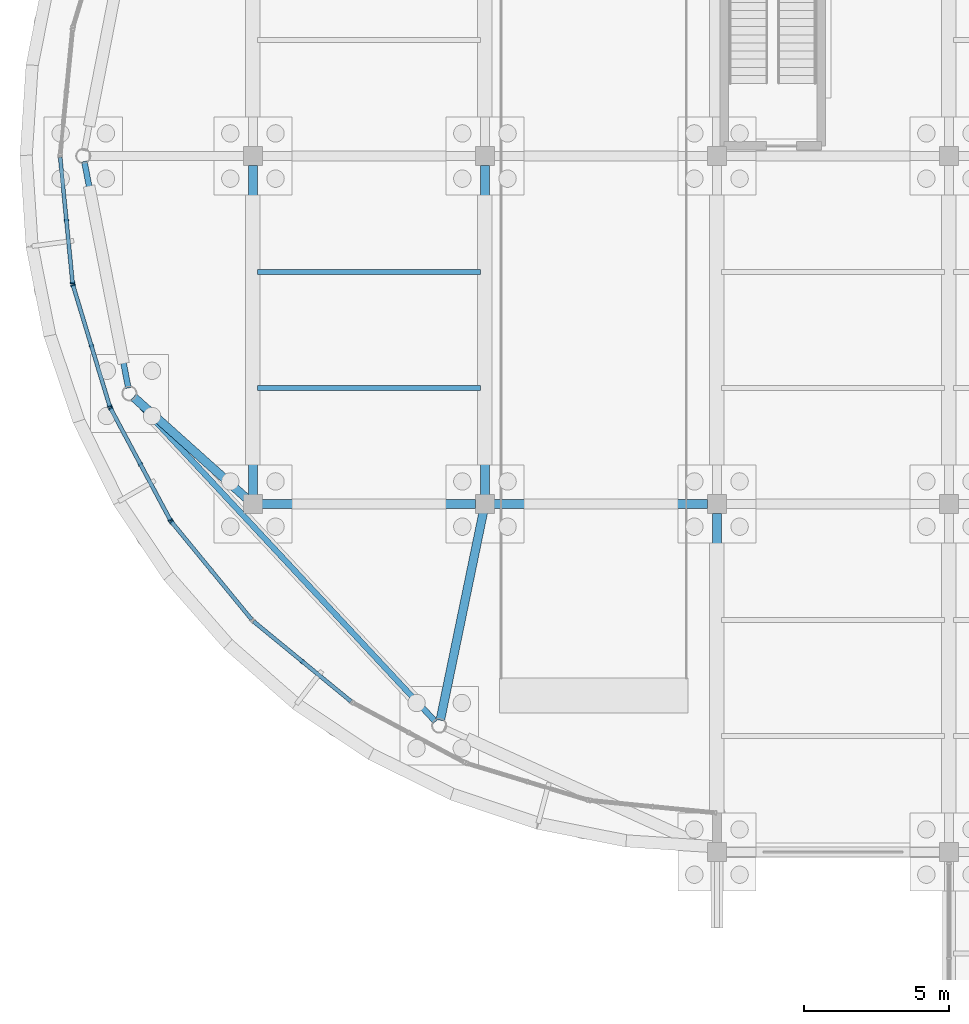
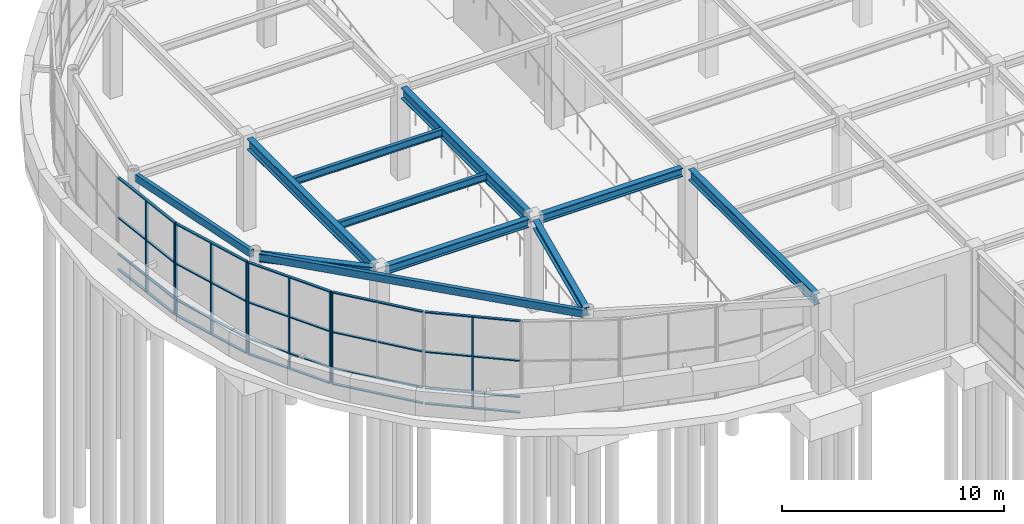
# One storey, part 26 of 85: 30 members, 11 beams, 5 elements without a shape of their own.
"""IFC4 building model written with IfcOpenShell, lengths in metres."""

from ifc_helpers import new_model, si_unit, direction, frame, origin, origin_2d, place, context, subcontext, project, spatial, rectangle, hollow_rectangle, i_section, extrude, material, layer, layer_set, material_profile, profile_set, type_object, element, aggregate, save


model = new_model("IFC4")

# Units and contexts
model_context = context("Model", 3, precision=1e-05, world=origin(), true_north=direction((0.0, 1.0)))
body_context = subcontext(model_context, "Body", "Model", "MODEL_VIEW")
ifc_project = project(units=[si_unit("LENGTHUNIT", "METRE"), si_unit("AREAUNIT", "SQUARE_METRE"), si_unit("VOLUMEUNIT", "CUBIC_METRE"), si_unit("PLANEANGLEUNIT", "RADIAN"), si_unit("MASSUNIT", "GRAM", prefix="KILO")], contexts=[model_context])

# Site, building, storey
site_placement = place(None, origin())
site = spatial("IfcSite", under=ifc_project, at=site_placement, CompositionType="ELEMENT")
building_placement = place(site_placement, origin())
building = spatial("IfcBuilding", under=site, at=building_placement, Name="Keelwater Ferry Terminal", CompositionType="ELEMENT")
storey_placement = place(building_placement, origin())
storey = spatial("IfcBuildingStorey", under=building, at=storey_placement, Name="L00", CompositionType="ELEMENT", Elevation=0.0)

# Curtain wall, members
ifc_material_1 = material(Name="Thermally broken unitised aluminium and triple glass", Category="aluminium")
ifc_layer = layer(ifc_material_1, 0.179931640625)
ifc_layer_set = layer_set([ifc_layer], Name="Thermally broken unitised aluminium and triple glass")
curtain_wall_type = type_object("IfcCurtainWallType", Name="CW-16 Unitised Curtain Wall 4350x5020", PredefinedType="USERDEFINED", material=ifc_layer_set)
curtain_wall_1_placement = place(storey_placement, origin())
curtain_wall_1 = element("IfcCurtainWall", 1, at=curtain_wall_1_placement, inside=storey, type_object=curtain_wall_type, Name="Unitised Curtain Wall CW-L00-085", ObjectType="UNITISED CURTAIN WALL", PredefinedType="USERDEFINED")
ifc_material_2 = material(Name="Aluminium mullion", Category="aluminium")
ifc_material_profile_1 = material_profile(ifc_material_2, rectangle(XDim=0.06005859375, YDim=0.14990234375, at=origin_2d()), Name="CWM-03")
ifc_profile_set_1 = profile_set([ifc_material_profile_1], Name="Aluminium mullion")
member_type_1 = type_object("IfcMemberType", Name="CWM-03 Curtain Mullion 60x150", PredefinedType="MULLION", material=ifc_profile_set_1)
member_1_placement = place(storey_placement, frame((1.5673828125, 63.79052734375, 0.0), z_axis=(0.0, 0.0, 1.0), x_axis=(0.098160737969, -0.995170573079, 0.0)))
member_1 = element("IfcMember", 2, at=member_1_placement, type_object=member_type_1, Name="CW-L00-085 Mullion 2", PredefinedType="MULLION", context=body_context, shape_type="SweptSolid", body=[
    extrude(rectangle(XDim=0.06005859375, YDim=0.14990234375, at=origin_2d()), origin(), (0.0, 0.0, 1.0), 5.02001953125),
])
member_2_placement = place(storey_placement, frame((1.781005859375, 61.6259765625, 0.0), z_axis=(0.0, 0.0, 1.0), x_axis=(0.098160737969, -0.995170573079, 0.0)))
member_2 = element("IfcMember", 3, at=member_2_placement, type_object=member_type_1, Name="CW-L00-085 Mullion 3", PredefinedType="MULLION", context=body_context, shape_type="SweptSolid", body=[
    extrude(rectangle(XDim=0.06005859375, YDim=0.14990234375, at=origin_2d()), origin(), (0.0, 0.0, 1.0), 5.02001953125),
])

curtain_wall_2_placement = place(storey_placement, origin())
curtain_wall_2 = element("IfcCurtainWall", 4, at=curtain_wall_2_placement, inside=storey, type_object=curtain_wall_type, Name="Unitised Curtain Wall CW-L00-086", ObjectType="UNITISED CURTAIN WALL", PredefinedType="USERDEFINED")
member_3_placement = place(storey_placement, frame((1.798095703125, 61.5380859375, 0.0), z_axis=(0.0, 0.0, 1.0), x_axis=(0.290319989003, -0.956929623319, 0.0)))
member_3 = element("IfcMember", 5, at=member_3_placement, type_object=member_type_1, Name="CW-L00-086 Mullion 1", PredefinedType="MULLION", context=body_context, shape_type="SweptSolid", body=[
    extrude(rectangle(XDim=0.06005859375, YDim=0.14990234375, at=origin_2d()), origin(), (0.0, 0.0, 1.0), 5.02001953125),
])
member_4_placement = place(storey_placement, frame((2.429443359375, 59.45654296875, 0.0), z_axis=(0.0, 0.0, 1.0), x_axis=(0.290319989003, -0.956929623319, 0.0)))
member_4 = element("IfcMember", 6, at=member_4_placement, type_object=member_type_1, Name="CW-L00-086 Mullion 2", PredefinedType="MULLION", context=body_context, shape_type="SweptSolid", body=[
    extrude(rectangle(XDim=0.06005859375, YDim=0.14990234375, at=origin_2d()), origin(), (0.0, 0.0, 1.0), 5.02001953125),
])
member_5_placement = place(storey_placement, frame((3.06103515625, 57.375, 0.0), z_axis=(0.0, 0.0, 1.0), x_axis=(0.290319989003, -0.956929623319, 0.0)))
member_5 = element("IfcMember", 7, at=member_5_placement, type_object=member_type_1, Name="CW-L00-086 Mullion 3", PredefinedType="MULLION", context=body_context, shape_type="SweptSolid", body=[
    extrude(rectangle(XDim=0.06005859375, YDim=0.14990234375, at=origin_2d()), origin(), (0.0, 0.0, 1.0), 5.02001953125),
])

curtain_wall_3_placement = place(storey_placement, origin())
curtain_wall_3 = element("IfcCurtainWall", 8, at=curtain_wall_3_placement, inside=storey, type_object=curtain_wall_type, Name="Unitised Curtain Wall CW-L00-087", ObjectType="UNITISED CURTAIN WALL", PredefinedType="USERDEFINED")
member_6_placement = place(storey_placement, frame((3.094970703125, 57.2919921875, 0.0), z_axis=(0.0, 0.0, 1.0), x_axis=(0.471506749303, -0.881862452632, 0.0)))
member_6 = element("IfcMember", 9, at=member_6_placement, type_object=member_type_1, Name="CW-L00-087 Mullion 1", PredefinedType="MULLION", context=body_context, shape_type="SweptSolid", body=[
    extrude(rectangle(XDim=0.06005859375, YDim=0.14990234375, at=origin_2d()), origin(), (0.0, 0.0, 1.0), 5.02001953125),
])
member_7_placement = place(storey_placement, frame((4.12060546875, 55.3740234375, 0.0), z_axis=(0.0, 0.0, 1.0), x_axis=(0.471506749303, -0.881862452632, 0.0)))
member_7 = element("IfcMember", 10, at=member_7_placement, type_object=member_type_1, Name="CW-L00-087 Mullion 2", PredefinedType="MULLION", context=body_context, shape_type="SweptSolid", body=[
    extrude(rectangle(XDim=0.06005859375, YDim=0.14990234375, at=origin_2d()), origin(), (0.0, 0.0, 1.0), 5.02001953125),
])
member_8_placement = place(storey_placement, frame((5.14599609375, 53.4560546875, 0.0), z_axis=(0.0, 0.0, 1.0), x_axis=(0.471506749303, -0.881862452632, 0.0)))
member_8 = element("IfcMember", 11, at=member_8_placement, type_object=member_type_1, Name="CW-L00-087 Mullion 3", PredefinedType="MULLION", context=body_context, shape_type="SweptSolid", body=[
    extrude(rectangle(XDim=0.06005859375, YDim=0.14990234375, at=origin_2d()), origin(), (0.0, 0.0, 1.0), 5.02001953125),
])

# Curtain wall, member
curtain_wall_4_placement = place(storey_placement, origin())
curtain_wall_4 = element("IfcCurtainWall", 12, at=curtain_wall_4_placement, inside=storey, type_object=curtain_wall_type, Name="Unitised Curtain Wall CW-L00-088", ObjectType="UNITISED CURTAIN WALL", PredefinedType="USERDEFINED")
member_9_placement = place(storey_placement, frame((5.196044921875, 53.381103515625, 0.0), z_axis=(0.0, 0.0, 1.0), x_axis=(0.634376508991, -0.773024220086, 0.0)))
member_9 = element("IfcMember", 13, at=member_9_placement, type_object=member_type_1, Name="CW-L00-088 Mullion 1", PredefinedType="MULLION", context=body_context, shape_type="SweptSolid", body=[
    extrude(rectangle(XDim=0.06005859375, YDim=0.14990234375, at=origin_2d()), origin(), (0.0, 0.0, 1.0), 5.02001953125),
])

curtain_wall_5_placement = place(storey_placement, origin())
curtain_wall_5 = element("IfcCurtainWall", 14, at=curtain_wall_5_placement, inside=storey, type_object=curtain_wall_type, Name="Unitised Curtain Wall CW-L00-089", ObjectType="UNITISED CURTAIN WALL", PredefinedType="USERDEFINED")
member_10_placement = place(storey_placement, frame((9.699951171875, 48.575439453125, 0.0), z_axis=(0.0, 0.0, 1.0), x_axis=(0.773024220086, -0.634376508991, 0.0)))
member_10 = element("IfcMember", 15, at=member_10_placement, type_object=member_type_1, Name="CW-L00-089 Mullion 2", PredefinedType="MULLION", context=body_context, shape_type="SweptSolid", body=[
    extrude(rectangle(XDim=0.06005859375, YDim=0.14990234375, at=origin_2d()), origin(), (0.0, 0.0, 1.0), 5.02001953125),
])

# Member
ifc_material_3 = material(Name="Aluminium mullion", Category="aluminium")
ifc_material_profile_2 = material_profile(ifc_material_3, rectangle(XDim=0.135009765625, YDim=0.06005859375, at=origin_2d()), Name="CWT-03")
ifc_profile_set_2 = profile_set([ifc_material_profile_2], Name="Aluminium mullion")
member_type_2 = type_object("IfcMemberType", Name="CWT-03 Curtain Transom 60x135", PredefinedType="USERDEFINED", material=ifc_profile_set_2)
member_11_placement = place(storey_placement, frame((1.35400390625, 65.955078125, 0.0), z_axis=(0.098158901932, -0.995170754178, 0.0), x_axis=(0.995170754178, 0.098158901932, 0.0)))
member_11 = element("IfcMember", 16, at=member_11_placement, type_object=member_type_2, Name="CW-L00-085 Transom 1", ObjectType="TRANSOM", PredefinedType="USERDEFINED", context=body_context, shape_type="SweptSolid", body=[
    extrude(rectangle(XDim=0.135009765625, YDim=0.06005859375, at=origin_2d()), origin(), (0.0, 0.0, 1.0), 4.35009765625),
])

member_12_placement = place(storey_placement, frame((1.35400390625, 65.955078125, 0.85009765625), z_axis=(0.098158901932, -0.995170754178, 0.0), x_axis=(0.995170754178, 0.098158901932, 0.0)))
member_12 = element("IfcMember", 17, at=member_12_placement, type_object=member_type_2, Name="CW-L00-085 Transom 2", ObjectType="TRANSOM", PredefinedType="USERDEFINED", context=body_context, shape_type="SweptSolid", body=[
    extrude(rectangle(XDim=0.135009765625, YDim=0.06005859375, at=origin_2d()), origin(), (0.0, 0.0, 1.0), 4.35009765625),
])

member_13_placement = place(storey_placement, frame((1.35400390625, 65.955078125, 2.85009765625), z_axis=(0.098158901932, -0.995170754178, 0.0), x_axis=(0.995170754178, 0.098158901932, 0.0)))
member_13 = element("IfcMember", 18, at=member_13_placement, type_object=member_type_2, Name="CW-L00-085 Transom 3", ObjectType="TRANSOM", PredefinedType="USERDEFINED", context=body_context, shape_type="SweptSolid", body=[
    extrude(rectangle(XDim=0.135009765625, YDim=0.06005859375, at=origin_2d()), origin(), (0.0, 0.0, 1.0), 4.35009765625),
])

member_14_placement = place(storey_placement, frame((1.35400390625, 65.955078125, 5.02001953125), z_axis=(0.098158901932, -0.995170754178, 0.0), x_axis=(0.995170754178, 0.098158901932, 0.0)))
member_14 = element("IfcMember", 19, at=member_14_placement, type_object=member_type_2, Name="CW-L00-085 Transom 4", ObjectType="TRANSOM", PredefinedType="USERDEFINED", context=body_context, shape_type="SweptSolid", body=[
    extrude(rectangle(XDim=0.135009765625, YDim=0.06005859375, at=origin_2d()), origin(), (0.0, 0.0, 1.0), 4.35009765625),
])

aggregate(curtain_wall_1, [member_1, member_2, member_11, member_12, member_13, member_14])

member_15_placement = place(storey_placement, frame((1.798095703125, 61.5380859375, 0.0), z_axis=(0.290301756665, -0.956935154583, 0.0), x_axis=(0.956935154583, 0.290301756665, 0.0)))
member_15 = element("IfcMember", 20, at=member_15_placement, type_object=member_type_2, Name="CW-L00-086 Transom 1", ObjectType="TRANSOM", PredefinedType="USERDEFINED", context=body_context, shape_type="SweptSolid", body=[
    extrude(rectangle(XDim=0.135009765625, YDim=0.06005859375, at=origin_2d()), origin(), (0.0, 0.0, 1.0), 4.350341796875),
])

member_16_placement = place(storey_placement, frame((1.798095703125, 61.5380859375, 0.85009765625), z_axis=(0.290301756665, -0.956935154583, 0.0), x_axis=(0.956935154583, 0.290301756665, 0.0)))
member_16 = element("IfcMember", 21, at=member_16_placement, type_object=member_type_2, Name="CW-L00-086 Transom 2", ObjectType="TRANSOM", PredefinedType="USERDEFINED", context=body_context, shape_type="SweptSolid", body=[
    extrude(rectangle(XDim=0.135009765625, YDim=0.06005859375, at=origin_2d()), origin(), (0.0, 0.0, 1.0), 4.350341796875),
])

member_17_placement = place(storey_placement, frame((1.798095703125, 61.5380859375, 2.85009765625), z_axis=(0.290301756665, -0.956935154583, 0.0), x_axis=(0.956935154583, 0.290301756665, 0.0)))
member_17 = element("IfcMember", 22, at=member_17_placement, type_object=member_type_2, Name="CW-L00-086 Transom 3", ObjectType="TRANSOM", PredefinedType="USERDEFINED", context=body_context, shape_type="SweptSolid", body=[
    extrude(rectangle(XDim=0.135009765625, YDim=0.06005859375, at=origin_2d()), origin(), (0.0, 0.0, 1.0), 4.350341796875),
])

member_18_placement = place(storey_placement, frame((1.798095703125, 61.5380859375, 5.02001953125), z_axis=(0.290301756665, -0.956935154583, 0.0), x_axis=(0.956935154583, 0.290301756665, 0.0)))
member_18 = element("IfcMember", 23, at=member_18_placement, type_object=member_type_2, Name="CW-L00-086 Transom 4", ObjectType="TRANSOM", PredefinedType="USERDEFINED", context=body_context, shape_type="SweptSolid", body=[
    extrude(rectangle(XDim=0.135009765625, YDim=0.06005859375, at=origin_2d()), origin(), (0.0, 0.0, 1.0), 4.350341796875),
])

aggregate(curtain_wall_2, [member_3, member_4, member_5, member_15, member_16, member_17, member_18])

member_19_placement = place(storey_placement, frame((3.094970703125, 57.2919921875, 0.0), z_axis=(0.471517263122, -0.881856831112, 0.0), x_axis=(0.881856831112, 0.471517263122, 0.0)))
member_19 = element("IfcMember", 24, at=member_19_placement, type_object=member_type_2, Name="CW-L00-087 Transom 1", ObjectType="TRANSOM", PredefinedType="USERDEFINED", context=body_context, shape_type="SweptSolid", body=[
    extrude(rectangle(XDim=0.135009765625, YDim=0.06005859375, at=origin_2d()), origin(), (0.0, 0.0, 1.0), 4.349853515625),
])

member_20_placement = place(storey_placement, frame((3.094970703125, 57.2919921875, 0.85009765625), z_axis=(0.471517263122, -0.881856831112, 0.0), x_axis=(0.881856831112, 0.471517263122, 0.0)))
member_20 = element("IfcMember", 25, at=member_20_placement, type_object=member_type_2, Name="CW-L00-087 Transom 2", ObjectType="TRANSOM", PredefinedType="USERDEFINED", context=body_context, shape_type="SweptSolid", body=[
    extrude(rectangle(XDim=0.135009765625, YDim=0.06005859375, at=origin_2d()), origin(), (0.0, 0.0, 1.0), 4.349853515625),
])

member_21_placement = place(storey_placement, frame((3.094970703125, 57.2919921875, 2.85009765625), z_axis=(0.471517263122, -0.881856831112, 0.0), x_axis=(0.881856831112, 0.471517263122, 0.0)))
member_21 = element("IfcMember", 26, at=member_21_placement, type_object=member_type_2, Name="CW-L00-087 Transom 3", ObjectType="TRANSOM", PredefinedType="USERDEFINED", context=body_context, shape_type="SweptSolid", body=[
    extrude(rectangle(XDim=0.135009765625, YDim=0.06005859375, at=origin_2d()), origin(), (0.0, 0.0, 1.0), 4.349853515625),
])

member_22_placement = place(storey_placement, frame((3.094970703125, 57.2919921875, 5.02001953125), z_axis=(0.471517263122, -0.881856831112, 0.0), x_axis=(0.881856831112, 0.471517263122, 0.0)))
member_22 = element("IfcMember", 27, at=member_22_placement, type_object=member_type_2, Name="CW-L00-087 Transom 4", ObjectType="TRANSOM", PredefinedType="USERDEFINED", context=body_context, shape_type="SweptSolid", body=[
    extrude(rectangle(XDim=0.135009765625, YDim=0.06005859375, at=origin_2d()), origin(), (0.0, 0.0, 1.0), 4.349853515625),
])

aggregate(curtain_wall_3, [member_6, member_7, member_8, member_19, member_20, member_21, member_22])

member_23_placement = place(storey_placement, frame((5.196044921875, 53.381103515625, 0.0), z_axis=(0.634374244118, -0.773026078732, 0.0), x_axis=(0.773026078732, 0.634374244118, 0.0)))
member_23 = element("IfcMember", 28, at=member_23_placement, type_object=member_type_2, Name="CW-L00-088 Transom 1", ObjectType="TRANSOM", PredefinedType="USERDEFINED", context=body_context, shape_type="SweptSolid", body=[
    extrude(rectangle(XDim=0.135009765625, YDim=0.06005859375, at=origin_2d()), origin(), (0.0, 0.0, 1.0), 4.34912109375),
])

member_24_placement = place(storey_placement, frame((5.196044921875, 53.381103515625, 0.85009765625), z_axis=(0.634374244118, -0.773026078732, 0.0), x_axis=(0.773026078732, 0.634374244118, 0.0)))
member_24 = element("IfcMember", 29, at=member_24_placement, type_object=member_type_2, Name="CW-L00-088 Transom 2", ObjectType="TRANSOM", PredefinedType="USERDEFINED", context=body_context, shape_type="SweptSolid", body=[
    extrude(rectangle(XDim=0.135009765625, YDim=0.06005859375, at=origin_2d()), origin(), (0.0, 0.0, 1.0), 4.34912109375),
])

member_25_placement = place(storey_placement, frame((5.196044921875, 53.381103515625, 2.85009765625), z_axis=(0.634374244118, -0.773026078732, 0.0), x_axis=(0.773026078732, 0.634374244118, 0.0)))
member_25 = element("IfcMember", 30, at=member_25_placement, type_object=member_type_2, Name="CW-L00-088 Transom 3", ObjectType="TRANSOM", PredefinedType="USERDEFINED", context=body_context, shape_type="SweptSolid", body=[
    extrude(rectangle(XDim=0.135009765625, YDim=0.06005859375, at=origin_2d()), origin(), (0.0, 0.0, 1.0), 4.34912109375),
])

member_26_placement = place(storey_placement, frame((5.196044921875, 53.381103515625, 5.02001953125), z_axis=(0.634374244118, -0.773026078732, 0.0), x_axis=(0.773026078732, 0.634374244118, 0.0)))
member_26 = element("IfcMember", 31, at=member_26_placement, type_object=member_type_2, Name="CW-L00-088 Transom 4", ObjectType="TRANSOM", PredefinedType="USERDEFINED", context=body_context, shape_type="SweptSolid", body=[
    extrude(rectangle(XDim=0.135009765625, YDim=0.06005859375, at=origin_2d()), origin(), (0.0, 0.0, 1.0), 4.34912109375),
])

aggregate(curtain_wall_4, [member_9, member_23, member_24, member_25, member_26])

member_27_placement = place(storey_placement, frame((8.01904296875, 49.955078125, 0.0), z_axis=(0.773026078732, -0.634374244118, 0.0), x_axis=(0.634374244118, 0.773026078732, 0.0)))
member_27 = element("IfcMember", 32, at=member_27_placement, type_object=member_type_2, Name="CW-L00-089 Transom 1", ObjectType="TRANSOM", PredefinedType="USERDEFINED", context=body_context, shape_type="SweptSolid", body=[
    extrude(rectangle(XDim=0.135009765625, YDim=0.06005859375, at=origin_2d()), origin(), (0.0, 0.0, 1.0), 4.34912109375),
])

member_28_placement = place(storey_placement, frame((8.01904296875, 49.955078125, 0.85009765625), z_axis=(0.773026078732, -0.634374244118, 0.0), x_axis=(0.634374244118, 0.773026078732, 0.0)))
member_28 = element("IfcMember", 33, at=member_28_placement, type_object=member_type_2, Name="CW-L00-089 Transom 2", ObjectType="TRANSOM", PredefinedType="USERDEFINED", context=body_context, shape_type="SweptSolid", body=[
    extrude(rectangle(XDim=0.135009765625, YDim=0.06005859375, at=origin_2d()), origin(), (0.0, 0.0, 1.0), 4.34912109375),
])

member_29_placement = place(storey_placement, frame((8.01904296875, 49.955078125, 2.85009765625), z_axis=(0.773026078732, -0.634374244118, 0.0), x_axis=(0.634374244118, 0.773026078732, 0.0)))
member_29 = element("IfcMember", 34, at=member_29_placement, type_object=member_type_2, Name="CW-L00-089 Transom 3", ObjectType="TRANSOM", PredefinedType="USERDEFINED", context=body_context, shape_type="SweptSolid", body=[
    extrude(rectangle(XDim=0.135009765625, YDim=0.06005859375, at=origin_2d()), origin(), (0.0, 0.0, 1.0), 4.34912109375),
])

member_30_placement = place(storey_placement, frame((8.01904296875, 49.955078125, 5.02001953125), z_axis=(0.773026078732, -0.634374244118, 0.0), x_axis=(0.634374244118, 0.773026078732, 0.0)))
member_30 = element("IfcMember", 35, at=member_30_placement, type_object=member_type_2, Name="CW-L00-089 Transom 4", ObjectType="TRANSOM", PredefinedType="USERDEFINED", context=body_context, shape_type="SweptSolid", body=[
    extrude(rectangle(XDim=0.135009765625, YDim=0.06005859375, at=origin_2d()), origin(), (0.0, 0.0, 1.0), 4.34912109375),
])

aggregate(curtain_wall_5, [member_10, member_27, member_28, member_29, member_30])

# Beams
ifc_material_4 = material(Name="Steel S355", Category="steel")
ifc_material_profile_3 = material_profile(ifc_material_4, i_section(OverallWidth=0.300048828125, OverallDepth=0.60009765625, WebThickness=0.015380859375, FlangeThickness=0.030029296875, at=origin_2d()), Name="HEB 600")
ifc_profile_set_3 = profile_set([ifc_material_profile_3], Name="Steel S355")
beam_type_1 = type_object("IfcBeamType", Name="G3 HEB 600", PredefinedType="BEAM", material=ifc_profile_set_3)
beam_1_placement = place(storey_placement, frame((24.0, 42.318115234375, 4.760009765625), z_axis=(0.0, 1.0, 0.0), x_axis=(-1.0, 0.0, 0.0)))
element("IfcBeam", 36, at=beam_1_placement, inside=storey, type_object=beam_type_1, Name="Beam BM-L00-0158", PredefinedType="BEAM", context=body_context, shape_type="SweptSolid", body=[
    extrude(i_section(OverallWidth=0.300048828125, OverallDepth=0.60009765625, WebThickness=0.015380859375, FlangeThickness=0.030029296875, at=origin_2d()), origin(), (0.0, 0.0, 1.0), 11.36376953125),
])
ifc_material_5 = material(Name="Steel S355", Category="steel")
ifc_material_profile_4 = material_profile(ifc_material_5, i_section(OverallWidth=0.300048828125, OverallDepth=0.60009765625, WebThickness=0.015380859375, FlangeThickness=0.030029296875, at=origin_2d()), Name="HEB 600")
ifc_profile_set_4 = profile_set([ifc_material_profile_4], Name="Steel S355")
beam_type_2 = type_object("IfcBeamType", Name="G3E HEB 600", PredefinedType="BEAM", material=ifc_profile_set_4)
for number, where, z_axis, x_axis, name in (
    (37, (8.0, 54.318115234375, 4.760009765625), (0.0, 1.0, 0.0), (-1.0, 0.0, 0.0), "Beam BM-L00-0154"),
    (38, (16.0, 54.318115234375, 4.760009765625), (0.0, 1.0, 0.0), (-1.0, 0.0, 0.0), "Beam BM-L00-0156"),
):
    element("IfcBeam", number, at=place(storey_placement, frame(where, z_axis=z_axis, x_axis=x_axis)), inside=storey, type_object=beam_type_2, Name=name, PredefinedType="BEAM", context=body_context, shape_type="SweptSolid", body=[
        extrude(i_section(OverallWidth=0.300048828125, OverallDepth=0.60009765625, WebThickness=0.015380859375, FlangeThickness=0.030029296875, at=origin_2d()), origin(), (0.0, 0.0, 1.0), 11.36376953125),
    ])
ifc_material_6 = material(Name="Steel S355", Category="steel")
ifc_material_profile_5 = material_profile(ifc_material_6, i_section(OverallWidth=0.300048828125, OverallDepth=0.449951171875, WebThickness=0.013916015625, FlangeThickness=0.02587890625, at=origin_2d()), Name="HEB 450")
ifc_profile_set_5 = profile_set([ifc_material_profile_5], Name="Steel S355")
beam_type_3 = type_object("IfcBeamType", Name="G6 HEB 450", PredefinedType="BEAM", material=ifc_profile_set_5)
for number, where, z_axis, x_axis, name in (
    (39, (8.318115234375, 54.0, 4.8349609375), (1.0, 0.0, 0.0), (0.0, 1.0, 0.0), "Beam BM-L00-0031"),
    (40, (16.318115234375, 54.0, 4.8349609375), (1.0, 0.0, 0.0), (0.0, 1.0, 0.0), "Beam BM-L00-0032"),
):
    element("IfcBeam", number, at=place(storey_placement, frame(where, z_axis=z_axis, x_axis=x_axis)), inside=storey, type_object=beam_type_3, Name=name, PredefinedType="BEAM", context=body_context, shape_type="SweptSolid", body=[
        extrude(i_section(OverallWidth=0.300048828125, OverallDepth=0.449951171875, WebThickness=0.013916015625, FlangeThickness=0.02587890625, at=origin_2d()), origin(), (0.0, 0.0, 1.0), 7.36376953125),
    ])
beam_2_placement = place(storey_placement, frame((3.883056640625, 57.68798828125, 4.8349609375), z_axis=(0.74477067713, -0.667320491584, 0.0), x_axis=(0.667320491584, 0.74477067713, 0.0)))
element("IfcBeam", 41, at=beam_2_placement, inside=storey, type_object=beam_type_3, Name="Beam BM-L00-0593", PredefinedType="BEAM", context=body_context, shape_type="SweptSolid", body=[
    extrude(i_section(OverallWidth=0.300048828125, OverallDepth=0.449951171875, WebThickness=0.013916015625, FlangeThickness=0.02587890625, at=origin_2d()), origin(), (0.0, 0.0, 1.0), 5.239013671875),
])
beam_3_placement = place(storey_placement, frame((14.4599609375, 46.547119140625, 4.8349609375), z_axis=(0.202409327113, 0.979301008014, 0.0), x_axis=(-0.979301008014, 0.202409327113, 0.0)))
element("IfcBeam", 42, at=beam_3_placement, inside=storey, type_object=beam_type_3, Name="Beam BM-L00-0594", PredefinedType="BEAM", context=body_context, shape_type="SweptSolid", body=[
    extrude(i_section(OverallWidth=0.300048828125, OverallDepth=0.449951171875, WebThickness=0.013916015625, FlangeThickness=0.02587890625, at=origin_2d()), origin(), (0.0, 0.0, 1.0), 7.321533203125),
])
ifc_material_7 = material(Name="Steel S355", Category="steel")
ifc_material_profile_6 = material_profile(ifc_material_7, i_section(OverallWidth=0.179931640625, OverallDepth=0.39990234375, WebThickness=0.008544921875, FlangeThickness=0.013427734375, at=origin_2d()), Name="IPE 400")
ifc_profile_set_6 = profile_set([ifc_material_profile_6], Name="Steel S355")
beam_type_4 = type_object("IfcBeamType", Name="J5 IPE 400", PredefinedType="JOIST", material=ifc_profile_set_6)
for number, where, z_axis, x_axis, name in (
    (43, (8.14990234375, 58.0, 4.860107421875), (1.0, 0.0, 0.0), (0.0, 1.0, 0.0), "Beam BM-L00-0304"),
    (44, (8.14990234375, 62.0, 4.860107421875), (1.0, 0.0, 0.0), (0.0, 1.0, 0.0), "Beam BM-L00-0305"),
):
    element("IfcBeam", number, at=place(storey_placement, frame(where, z_axis=z_axis, x_axis=x_axis)), inside=storey, type_object=beam_type_4, Name=name, PredefinedType="JOIST", context=body_context, shape_type="SweptSolid", body=[
        extrude(i_section(OverallWidth=0.179931640625, OverallDepth=0.39990234375, WebThickness=0.008544921875, FlangeThickness=0.013427734375, at=origin_2d()), origin(), (0.0, 0.0, 1.0), 7.7001953125),
    ])
ifc_material_8 = material(Name="Steel S355", Category="steel")
ifc_material_profile_7 = material_profile(ifc_material_8, hollow_rectangle(XDim=0.199951171875, YDim=0.39990234375, WallThickness=0.01611328125, at=origin_2d()), Name="RHS 400x200x16")
ifc_profile_set_7 = profile_set([ifc_material_profile_7], Name="Steel S355")
beam_type_5 = type_object("IfcBeamType", Name="SP3E RHS 400x200x16", PredefinedType="SPANDREL", material=ifc_profile_set_7)
beam_4_placement = place(storey_placement, frame((2.18603515625, 65.81298828125, 4.860107421875), z_axis=(0.190897579934, -0.981609960206, 0.0), x_axis=(0.981609960206, 0.190897579934, 0.0)))
element("IfcBeam", 45, at=beam_4_placement, inside=storey, type_object=beam_type_5, Name="Beam BM-L00-0588", PredefinedType="SPANDREL", context=body_context, shape_type="SweptSolid", body=[
    extrude(hollow_rectangle(XDim=0.199951171875, YDim=0.39990234375, WallThickness=0.01611328125, at=origin_2d()), origin(), (0.0, 0.0, 1.0), 7.957275390625),
])
beam_5_placement = place(storey_placement, frame((3.87109375, 57.676025390625, 4.860107421875), z_axis=(0.681966371638, -0.731383529999, 0.0), x_axis=(0.731383529999, 0.681966371638, 0.0)))
element("IfcBeam", 46, at=beam_5_placement, inside=storey, type_object=beam_type_5, Name="Beam BM-L00-0589", PredefinedType="SPANDREL", context=body_context, shape_type="SweptSolid", body=[
    extrude(hollow_rectangle(XDim=0.199951171875, YDim=0.39990234375, WallThickness=0.01611328125, at=origin_2d()), origin(), (0.0, 0.0, 1.0), 15.28076171875),
])

save(model, "model.ifc")
